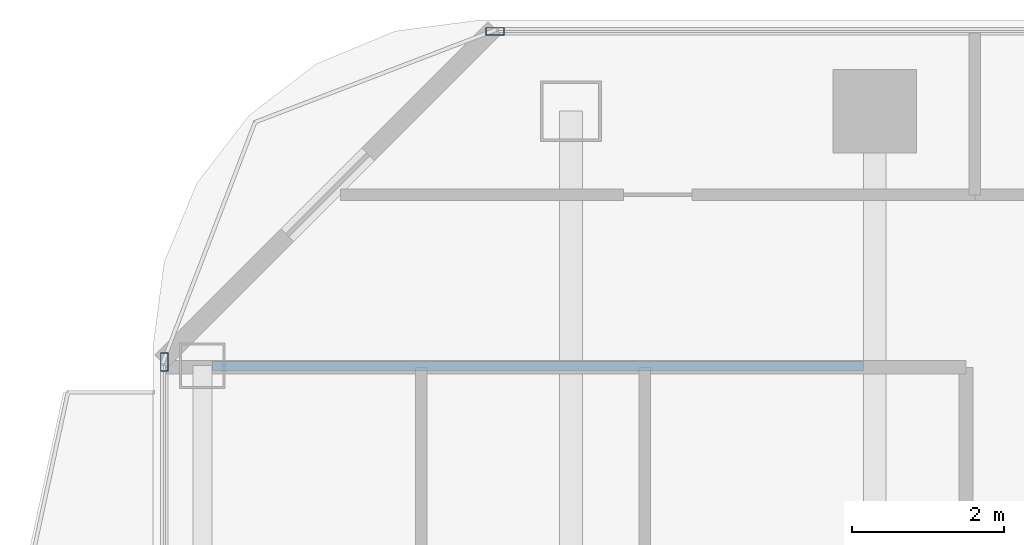
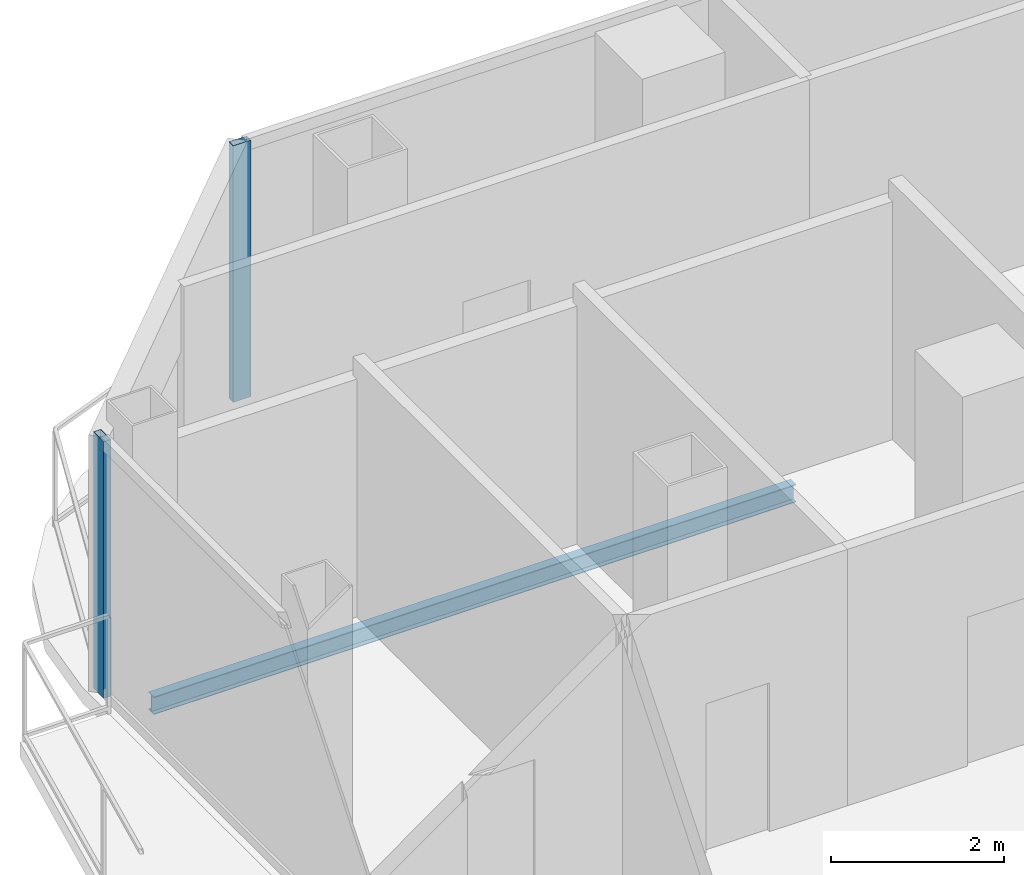
# One storey, part 11 of 23: 2 members, 1 beam, 2 elements without a shape of their own.
"""IFC4 building model written with IfcOpenShell, lengths in metres."""

from ifc_helpers import new_model, si_unit, direction, frame, origin, origin_2d, place, context, subcontext, project, spatial, hollow_rectangle, i_section, extrude, material, layer, layer_set, material_profile, profile_set, type_object, element, aggregate, save


model = new_model("IFC4")

# Units and contexts
model_context = context("Model", 3, precision=1e-05, world=origin(), true_north=direction((0.0, 1.0)))
body_context = subcontext(model_context, "Body", "Model", "MODEL_VIEW")
ifc_project = project(units=[si_unit("LENGTHUNIT", "METRE"), si_unit("AREAUNIT", "SQUARE_METRE"), si_unit("VOLUMEUNIT", "CUBIC_METRE"), si_unit("PLANEANGLEUNIT", "RADIAN"), si_unit("MASSUNIT", "GRAM", prefix="KILO")], contexts=[model_context])

# Site, building, storey
site_placement = place(None, origin())
site = spatial("IfcSite", under=ifc_project, at=site_placement, CompositionType="ELEMENT")
building_placement = place(site_placement, origin())
building = spatial("IfcBuilding", under=site, at=building_placement, Name="Khorvyn Point Tower", CompositionType="ELEMENT")
storey_placement = place(building_placement, frame((0.0, 0.0, 207.0)))
storey = spatial("IfcBuildingStorey", under=building, at=storey_placement, Name="L51", CompositionType="ELEMENT", Elevation=207.0)

# Curtain wall, member
ifc_material_1 = material(Name="Anodised aluminium 6063-T6 and laminated Low-E glass", Category="aluminium")
ifc_layer = layer(ifc_material_1, 0.18994140625)
ifc_layer_set = layer_set([ifc_layer], Name="Stick-Built Acoustic Curtain Wall CW-SYS-03")
curtain_wall_type = type_object("IfcCurtainWallType", Name="Stick-Built Acoustic Curtain Wall CW-SYS-03", PredefinedType="NOTDEFINED", material=ifc_layer_set)
curtain_wall_1_placement = place(storey_placement, origin())
curtain_wall_1 = element("IfcCurtainWall", 1, at=curtain_wall_1_placement, inside=storey, type_object=curtain_wall_type, Name="Curtain Wall", PredefinedType="NOTDEFINED")
ifc_material_2 = material(Name="Anodised aluminium 6063-T6", Category="aluminium")
ifc_material_profile_1 = material_profile(ifc_material_2, hollow_rectangle(XDim=0.10009765625, YDim=0.239990234375, WallThickness=0.0048828125, at=origin_2d()))
ifc_profile_set_1 = profile_set([ifc_material_profile_1], Name="Anodised aluminium 6063-T6 ALU-MUL-100x240")
member_type = type_object("IfcMemberType", Name="Anodised Aluminium 6063-T6 Mullion ALU-MUL-100x240", PredefinedType="MULLION", material=ifc_profile_set_1)
member_1_placement = place(storey_placement, frame((-19.800048828125, 15.85009765625, 0.0), z_axis=(0.0, 0.0, 1.0), x_axis=(0.0, 1.0, 0.0)))
member_1 = element("IfcMember", 2, at=member_1_placement, type_object=member_type, Name="Transom", PredefinedType="MULLION", context=body_context, shape_type="SweptSolid", body=[
    extrude(hollow_rectangle(XDim=0.10009765625, YDim=0.239990234375, WallThickness=0.0048828125, at=origin_2d()), origin(), (0.0, 0.0, 1.0), 3.6201171875),
])
aggregate(curtain_wall_1, [member_1])

curtain_wall_2_placement = place(storey_placement, origin())
curtain_wall_2 = element("IfcCurtainWall", 3, at=curtain_wall_2_placement, inside=storey, type_object=curtain_wall_type, Name="Curtain Wall", PredefinedType="NOTDEFINED")
member_2_placement = place(storey_placement, frame((-24.14990234375, 11.5, 0.0), z_axis=(0.0, 0.0, 1.0), x_axis=(-1.0, 0.0, 0.0)))
member_2 = element("IfcMember", 4, at=member_2_placement, type_object=member_type, Name="Transom", PredefinedType="MULLION", context=body_context, shape_type="SweptSolid", body=[
    extrude(hollow_rectangle(XDim=0.10009765625, YDim=0.239990234375, WallThickness=0.0048828125, at=origin_2d()), origin(), (0.0, 0.0, 1.0), 3.6201171875),
])
aggregate(curtain_wall_2, [member_2])

# Beam
ifc_material_3 = material(Name="Steel S355", Category="steel")
ifc_material_profile_2 = material_profile(ifc_material_3, i_section(OverallWidth=0.125, OverallDepth=0.25, WebThickness=0.006103515625, FlangeThickness=0.009033203125, at=origin_2d()))
ifc_profile_set_2 = profile_set([ifc_material_profile_2], Name="Steel S355 H250x125x6x9")
beam_type = type_object("IfcBeamType", Name="Steel S355 Joist H250x125x6x9", PredefinedType="JOIST", material=ifc_profile_set_2)
beam_placement = place(storey_placement, frame((-23.52490234375, 11.449951171875, -0.344970703125), z_axis=(1.0, 0.0, 0.0), x_axis=(0.0, 1.0, 0.0)))
element("IfcBeam", 5, at=beam_placement, inside=storey, type_object=beam_type, Name="Beam", PredefinedType="JOIST", context=body_context, shape_type="SweptSolid", body=[
    extrude(i_section(OverallWidth=0.125, OverallDepth=0.25, WebThickness=0.006103515625, FlangeThickness=0.009033203125, at=origin_2d()), origin(), (0.0, 0.0, 1.0), 8.574951171875),
])

save(model, "model.ifc")
